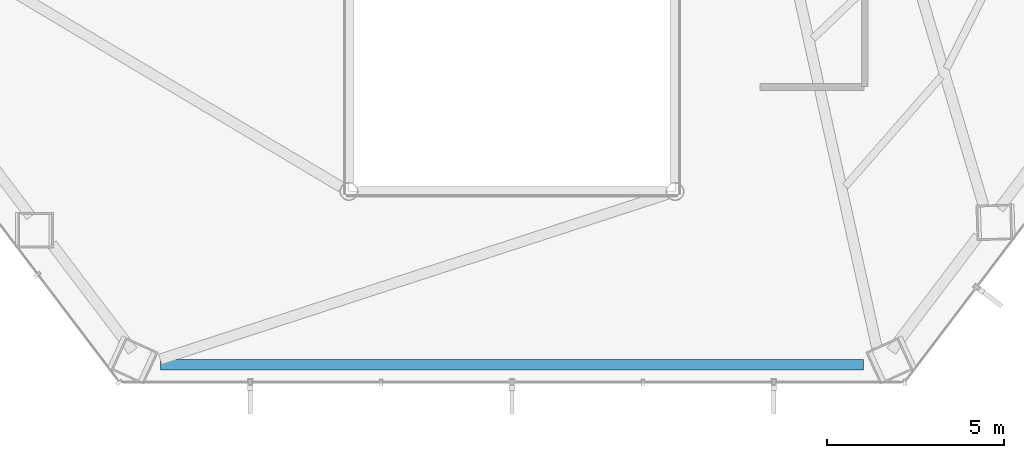
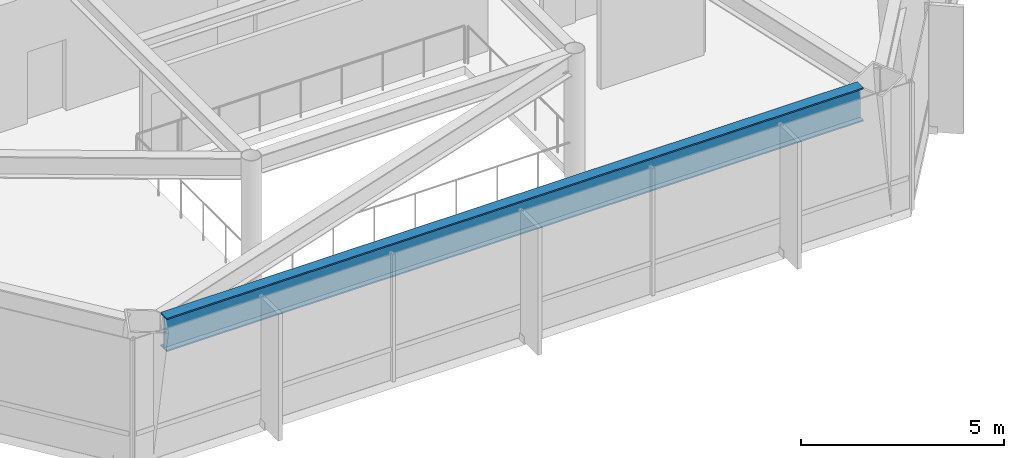
# One storey, part 7 of 27: 1 beam.
"""IFC4 building model written with IfcOpenShell, lengths in metres."""

import ifcopenshell
import ifcopenshell.guid

model = None  # the IFC model being written
_history = None  # IfcOwnerHistory: only IFC2X3 demands one
_inside = {}  # id of a spatial element -> (the spatial element, [elements in it])
_under = {}  # id of a project, library or spatial element -> (it, [spatial elements below it])
_declared = {}  # id of a project -> (the project, [libraries it declares])
_typed = {}  # id of a type object -> (the type object, [elements of that type])
_made_of = {}  # id of a material, layer set ... -> (it, [elements and type objects made of it])


def new_model(schema):
    """Start an empty IFC model of exactly this schema.

    Asked for "IFC4X3", IfcOpenShell would pick the latest addendum, in which some entities
    have other attributes; the version numbers below select the first issue.
    IFC2X3 requires an IfcOwnerHistory on every rooted entity: one is made here for all.
    """
    global model, _history
    if schema == "IFC4X3":
        model = ifcopenshell.file(schema_version=(4, 3, 0, 0))
    else:
        model = ifcopenshell.file(schema=schema)
    _inside.clear()
    _under.clear()
    _declared.clear()
    _typed.clear()
    _made_of.clear()
    _history = None
    if model.schema == "IFC2X3":
        org = make("IfcOrganization", Name="unknown")
        user = make(
            "IfcPersonAndOrganization",
            ThePerson=make("IfcPerson", FamilyName="unknown"),
            TheOrganization=org,
        )
        app = make(
            "IfcApplication",
            ApplicationDeveloper=org,
            Version="unknown",
            ApplicationFullName="unknown",
            ApplicationIdentifier="unknown",
        )
        _history = make(
            "IfcOwnerHistory",
            OwningUser=user,
            OwningApplication=app,
            ChangeAction="ADDED",
            CreationDate=0,
        )
    return model


def make(cls, **values):
    """One entity of the class cls with the attributes given. An attribute that is None is left unset."""
    return model.create_entity(
        cls, **{name: value for name, value in values.items() if value is not None}
    )


def rooted(cls, **values):
    """An entity with a GlobalId (a new one), such as an element, a storey or a relation."""
    return make(cls, GlobalId=ifcopenshell.guid.new(), OwnerHistory=_history, **values)


def si_unit(unit_type, name, prefix=None):
    """IfcSIUnit, for example si_unit("LENGTHUNIT", "METRE", prefix="MILLI")."""
    return make("IfcSIUnit", UnitType=unit_type, Prefix=prefix, Name=name)


def assignment(units):
    """IfcUnitAssignment: the units of a project."""
    return None if units is None else make("IfcUnitAssignment", Units=units)


def point(xyz):
    """IfcCartesianPoint."""
    return None if xyz is None else make("IfcCartesianPoint", Coordinates=xyz)


def direction(xyz):
    """IfcDirection."""
    return None if xyz is None else make("IfcDirection", DirectionRatios=xyz)


def frame(location, z_axis=None, x_axis=None):
    """IfcAxis2Placement3D, a coordinate frame: its origin and axes. An axis left out is left unset."""
    return make(
        "IfcAxis2Placement3D",
        Location=point(location),
        Axis=direction(z_axis),
        RefDirection=direction(x_axis),
    )


def frame_2d(location, x_axis=None):
    """IfcAxis2Placement2D, a coordinate frame in the plane: its origin and x axis."""
    return make(
        "IfcAxis2Placement2D", Location=point(location), RefDirection=direction(x_axis)
    )


def origin():
    """The frame at (0, 0, 0) with its axes left unset."""
    return frame((0.0, 0.0, 0.0))


def origin_2d():
    """The frame at (0, 0) in the plane with its x axis left unset."""
    return frame_2d((0.0, 0.0))


def place(relative_to, where):
    """IfcLocalPlacement: puts the frame where relative to a parent placement (None: the world)."""
    return make(
        "IfcLocalPlacement", PlacementRelTo=relative_to, RelativePlacement=where
    )


def context(
    kind, dimensions, precision=None, world=None, true_north=None, identifier=None
):
    """IfcGeometricRepresentationContext, for example the 3D "Model" context."""
    return make(
        "IfcGeometricRepresentationContext",
        ContextIdentifier=identifier,
        ContextType=kind,
        CoordinateSpaceDimension=dimensions,
        Precision=precision,
        WorldCoordinateSystem=world,
        TrueNorth=true_north,
    )


def subcontext(parent, identifier, kind, view, scale=None):
    """IfcGeometricRepresentationSubContext, for example "Body" below "Model"."""
    return make(
        "IfcGeometricRepresentationSubContext",
        ContextIdentifier=identifier,
        ContextType=kind,
        ParentContext=parent,
        TargetScale=scale,
        TargetView=view,
    )


def project(units=None, contexts=None):
    """IfcProject with its units and contexts."""
    return rooted(
        "IfcProject",
        Name="project",
        RepresentationContexts=contexts,
        UnitsInContext=assignment(units),
    )


def spatial(cls, under=None, at=None, **own):
    """A site, building, storey or space (cls), placed at a placement, below another one or the project."""
    s = rooted(cls, ObjectPlacement=at, **own)
    if under is not None:
        _under.setdefault(under.id(), (under, []))[1].append(s)
    return s


def profile(cls, at=None, kind="AREA", **sizes):
    """A parametric profile (cls). Its sizes go by their IFC names, for example OverallWidth=200.0."""
    return make(cls, ProfileType=kind, Position=at, **sizes)


def i_section(**sizes):
    """IfcIShapeProfileDef."""
    return profile("IfcIShapeProfileDef", **sizes)


def extrude(swept, where, along, depth):
    """IfcExtrudedAreaSolid: the profile swept, set in the frame where, extruded along a direction by depth."""
    return make(
        "IfcExtrudedAreaSolid",
        SweptArea=swept,
        Position=where,
        ExtrudedDirection=direction(along),
        Depth=depth,
    )


def shape(context_of_items, identifier, shape_type, items):
    """IfcShapeRepresentation: the items that make up one representation, for example the "Body"."""
    return make(
        "IfcShapeRepresentation",
        ContextOfItems=context_of_items,
        RepresentationIdentifier=identifier,
        RepresentationType=shape_type,
        Items=items,
    )


def material(Name=None, Category=None):
    """IfcMaterial."""
    return make("IfcMaterial", Name=Name, Category=Category)


def material_profile(
    of_material, cross_section, Name=None, Category=None, Priority=None
):
    """IfcMaterialProfile: a cross section and its material."""
    return make(
        "IfcMaterialProfile",
        Name=Name,
        Material=of_material,
        Profile=cross_section,
        Priority=Priority,
        Category=Category,
    )


def profile_set(profiles, Name=None, composite=None):
    """IfcMaterialProfileSet."""
    return make(
        "IfcMaterialProfileSet",
        Name=Name,
        MaterialProfiles=profiles,
        CompositeProfile=composite,
    )


def made_of(thing, what):
    """Note that an element or type object is made of a material, layer set ...; save() writes the relation."""
    if what is not None:
        _made_of.setdefault(what.id(), (what, []))[1].append(thing)
    return thing


def type_object(cls, material=None, **own):
    """A type object (cls), such as IfcWallType, which elements share."""
    return made_of(rooted(cls, **own), material)


def element(
    cls,
    number,
    at=None,
    inside=None,
    cuts=None,
    type_object=None,
    material=None,
    context=None,
    identifier="Body",
    shape_type=None,
    held_by="IfcProductDefinitionShape",
    body=None,
    shapes=None,
    **own,
):
    """One element of the class cls, such as IfcWall. Its Tag is "e" and its number.

    at: its placement. inside: the storey or other place that contains it. cuts: it is an
    opening in that element (IfcRelVoidsElement). A single representation is given by context,
    identifier, shape_type and body (its items); several are given by shapes. held_by: the class
    of the entity that holds the representations. save() writes the other relations.
    """
    e = rooted(cls, Tag="e%d" % number, ObjectPlacement=at, **own)
    if body is not None:
        shapes = [shape(context, identifier, shape_type, body)]
    if shapes is not None:
        e.Representation = make(held_by, Representations=shapes)
    if inside is not None:
        _inside.setdefault(inside.id(), (inside, []))[1].append(e)
    if cuts is not None:
        rooted(
            "IfcRelVoidsElement", RelatingBuildingElement=cuts, RelatedOpeningElement=e
        )
    if type_object is not None:
        _typed.setdefault(type_object.id(), (type_object, []))[1].append(e)
    return made_of(e, material)


def aggregate(whole, parts):
    """IfcRelAggregates: a whole, such as a stair, and the parts it consists of."""
    return rooted("IfcRelAggregates", RelatingObject=whole, RelatedObjects=parts)


def save(model, path):
    """Write the relations noted so far, then the file.

    IfcRelAggregates (storeys below a building ...), IfcRelContainedInSpatialStructure (elements
    in a storey), IfcRelDefinesByType, IfcRelAssociatesMaterial and IfcRelDeclares: one each for
    every whole, place, type object, material and project.
    """
    for whole, parts in _under.values():
        aggregate(whole, parts)
    for where, things in _inside.values():
        rooted(
            "IfcRelContainedInSpatialStructure",
            RelatedElements=things,
            RelatingStructure=where,
        )
    for kind, things in _typed.values():
        rooted("IfcRelDefinesByType", RelatedObjects=things, RelatingType=kind)
    for what, things in _made_of.values():
        rooted("IfcRelAssociatesMaterial", RelatedObjects=things, RelatingMaterial=what)
    for by, libraries in _declared.values():
        rooted("IfcRelDeclares", RelatingContext=by, RelatedDefinitions=libraries)
    model.write(path)


model = new_model("IFC4")

# Units and contexts
model_context = context("Model", 3, precision=1e-05, world=origin(), true_north=direction((0.0, 1.0)))
body_context = subcontext(model_context, "Body", "Model", "MODEL_VIEW")
ifc_project = project(units=[si_unit("LENGTHUNIT", "METRE"), si_unit("AREAUNIT", "SQUARE_METRE"), si_unit("VOLUMEUNIT", "CUBIC_METRE"), si_unit("PLANEANGLEUNIT", "RADIAN"), si_unit("MASSUNIT", "GRAM", prefix="KILO")], contexts=[model_context])

# Site, building, storey
site_placement = place(None, origin())
site = spatial("IfcSite", under=ifc_project, at=site_placement, CompositionType="ELEMENT")
building_placement = place(site_placement, origin())
building = spatial("IfcBuilding", under=site, at=building_placement, Name="Zarrinselat Tower", CompositionType="ELEMENT")
storey_placement = place(building_placement, frame((0.0, 0.0, 47.93994140625)))
storey = spatial("IfcBuildingStorey", under=building, at=storey_placement, Name="L11", CompositionType="ELEMENT", Elevation=47.93994140625)

# Beam
ifc_material = material(Name="Steel S460M", Category="steel")
ifc_material_profile = material_profile(ifc_material, i_section(OverallWidth=0.302001953125, OverallDepth=1.008056640625, WebThickness=0.02099609375, FlangeThickness=0.0400390625, at=origin_2d()), Name="HEM 1000")
ifc_profile_set = profile_set([ifc_material_profile], Name="Steel S460M")
beam_type = type_object("IfcBeamType", Name="BM-HEM1000", PredefinedType="BEAM", material=ifc_profile_set)
beam_placement = place(storey_placement, frame((28.48828125, 19.51171875, 3.316162109375), z_axis=(1.0, 0.0, 0.0), x_axis=(0.0, 1.0, 0.0)))
element("IfcBeam", 1, at=beam_placement, inside=storey, type_object=beam_type, Name="L11 Perimeter Spandrel Girder SP10", PredefinedType="BEAM", context=body_context, shape_type="SweptSolid", body=[
    extrude(i_section(OverallWidth=0.302001953125, OverallDepth=1.008056640625, WebThickness=0.02099609375, FlangeThickness=0.0400390625, at=origin_2d()), origin(), (0.0, 0.0, 1.0), 19.8232421875),
])

save(model, "model.ifc")
